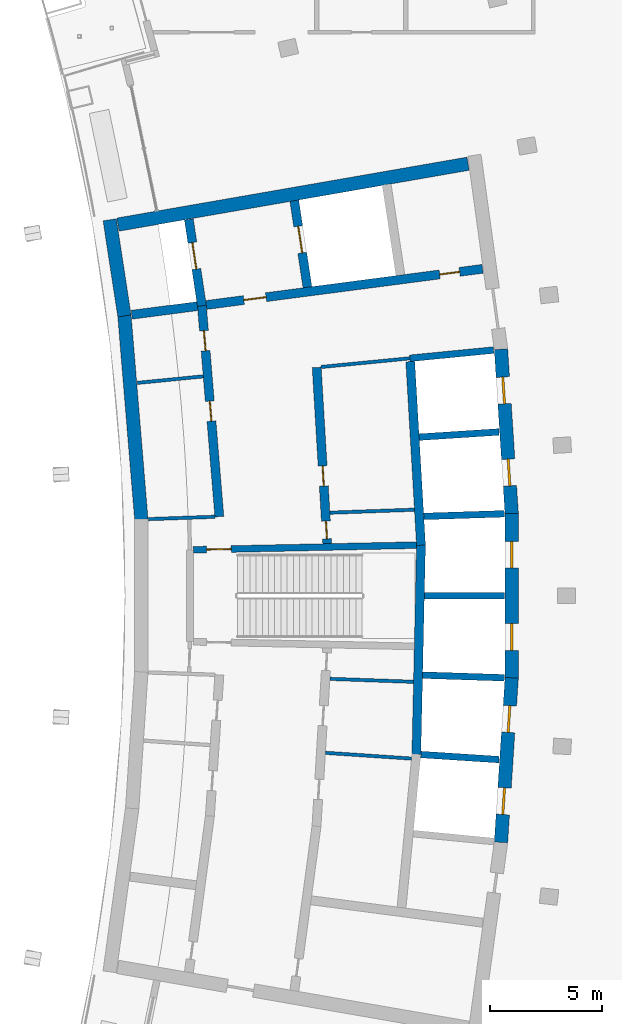
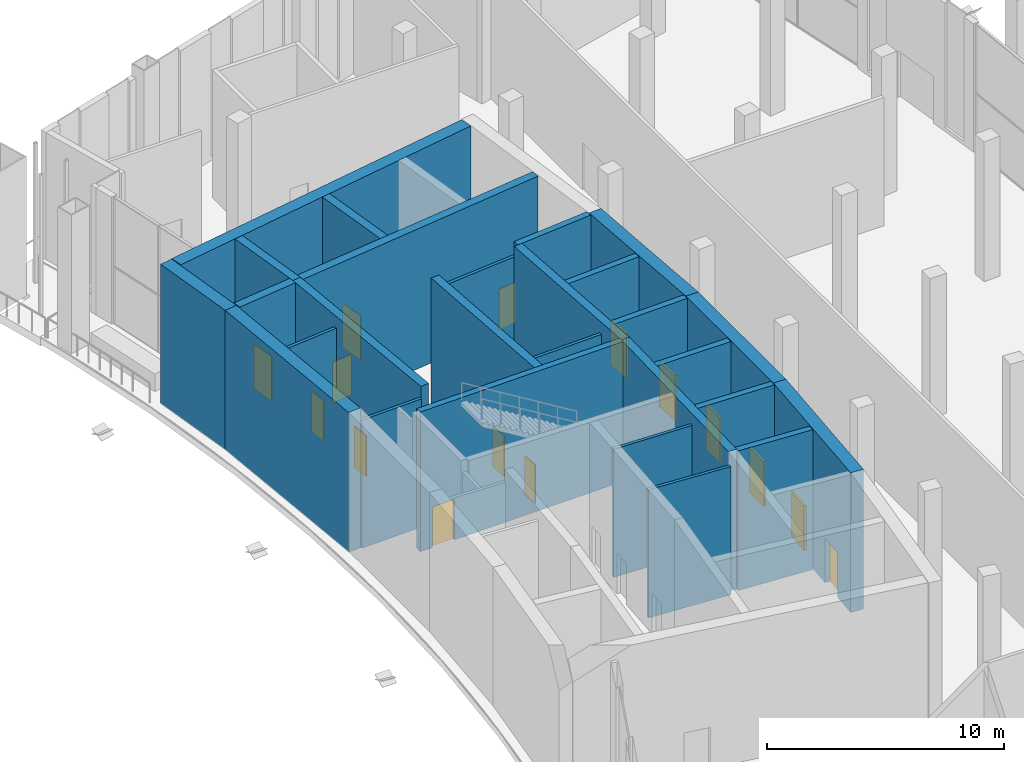
# One storey, part 15 of 24: 27 walls, 15 doors, 15 openings.
"""IFC4 building model written with IfcOpenShell, lengths in metres."""

from ifc_helpers import new_model, si_unit, direction, frame, frame_2d, origin, place, context, subcontext, project, spatial, rectangle, extrude, material, layer, layer_set, type_object, element, fill, save


model = new_model("IFC4")

# Units and contexts
model_context = context("Model", 3, precision=1e-05, world=origin(), true_north=direction((0.0, 1.0)))
body_context = subcontext(model_context, "Body", "Model", "MODEL_VIEW")
ifc_project = project(units=[si_unit("LENGTHUNIT", "METRE"), si_unit("AREAUNIT", "SQUARE_METRE"), si_unit("VOLUMEUNIT", "CUBIC_METRE"), si_unit("PLANEANGLEUNIT", "RADIAN"), si_unit("MASSUNIT", "GRAM", prefix="KILO")], contexts=[model_context])

# Site, building, storey
site_placement = place(None, origin())
site = spatial("IfcSite", under=ifc_project, at=site_placement, CompositionType="ELEMENT")
building_placement = place(site_placement, origin())
building = spatial("IfcBuilding", under=site, at=building_placement, Name="Alderwake Tower", CompositionType="ELEMENT")
storey_placement = place(building_placement, frame((0.0, 0.0, 232.39990234375)))
storey = spatial("IfcBuildingStorey", under=building, at=storey_placement, Name="L58", CompositionType="ELEMENT", Elevation=232.39990234375)

# Walls
ifc_material_1 = material(Name="Gypsum shaft wall system, rated")
ifc_layer_1 = layer(ifc_material_1, 0.14990234375)
ifc_layer_set_1 = layer_set([ifc_layer_1], Name="Core riser partition 150")
wall_type_1 = type_object("IfcWallType", Name="Core riser partition 150", PredefinedType="PARTITIONING", material=ifc_layer_set_1)
wall_1_placement = place(storey_placement, frame((25.1904296875, 57.276611328125, 0.0), z_axis=(0.0, 0.0, 1.0), x_axis=(0.99937350076, -0.035392173974, 0.0)))
element("IfcWall", 1, at=wall_1_placement, inside=storey, type_object=wall_type_1, Name="CW/L58/PR-37_+86", PredefinedType="PARTITIONING", context=body_context, shape_type="SweptSolid", body=[
    extrude(rectangle(XDim=3.752685546875, YDim=0.14990234375, at=frame_2d((1.87646484375, 0.0))), origin(), (0.0, 0.0, 1.0), 6.60009765625),
])
wall_2_placement = place(storey_placement, frame((25.191162109375, 64.723388671875, 0.0), z_axis=(0.0, 0.0, 1.0), x_axis=(0.999373627871, 0.035388584556, 0.0)))
element("IfcWall", 2, at=wall_2_placement, inside=storey, type_object=wall_type_1, Name="CW/L58/PR+37_+86", PredefinedType="PARTITIONING", context=body_context, shape_type="SweptSolid", body=[
    extrude(rectangle(XDim=3.79443359375, YDim=0.14990234375, at=frame_2d((1.897216796875, 0.0))), origin(), (0.0, 0.0, 1.0), 6.60009765625),
])
ifc_material_2 = material(Name="Gypsum shaft wall system, rated")
ifc_layer_2 = layer(ifc_material_2, 0.14990234375)
ifc_layer_set_2 = layer_set([ifc_layer_2], Name="Core room partition 150")
wall_type_2 = type_object("IfcWallType", Name="Core room partition 150", PredefinedType="PARTITIONING", material=ifc_layer_set_2)
wall_3_placement = place(storey_placement, frame((24.990234375, 53.96142578125, 0.0), z_axis=(0.0, 0.0, 1.0), x_axis=(0.997758824467, -0.06691284031, 0.0)))
element("IfcWall", 3, at=wall_3_placement, inside=storey, type_object=wall_type_2, Name="CW/L58/PR-70_+86", PredefinedType="PARTITIONING", context=body_context, shape_type="SweptSolid", body=[
    extrude(rectangle(XDim=3.86767578125, YDim=0.14990234375, at=frame_2d((1.933837890625, 0.0))), origin(), (0.0, 0.0, 1.0), 6.60009765625),
])
wall_4_placement = place(storey_placement, frame((17.0693359375, 64.43603515625, 0.0), z_axis=(0.0, 0.0, 1.0), x_axis=(0.999374945052, 0.03535136775, 0.0)))
element("IfcWall", 4, at=wall_4_placement, inside=storey, type_object=wall_type_2, Name="CW/L58/PR+37_+0", PredefinedType="PARTITIONING", context=body_context, shape_type="SweptSolid", body=[
    extrude(rectangle(XDim=2.9697265625, YDim=0.14990234375, at=frame_2d((1.48486328125, 0.0))), origin(), (0.0, 0.0, 1.0), 6.60009765625),
])
wall_5_placement = place(storey_placement, frame((24.799560546875, 71.2548828125, 0.0), z_axis=(0.0, 0.0, 1.0), x_axis=(0.995250000627, 0.097352125046, 0.0)))
element("IfcWall", 5, at=wall_5_placement, inside=storey, type_object=wall_type_2, Name="CW/L58/PR+102_+86", PredefinedType="PARTITIONING", context=body_context, shape_type="SweptSolid", body=[
    extrude(rectangle(XDim=4.0, YDim=0.14990234375, at=frame_2d((2.0, 0.0))), origin(), (0.0, 0.0, 1.0), 6.60009765625),
])
wall_6_placement = place(storey_placement, frame((16.563232421875, 70.5419921875, 0.0), z_axis=(0.0, 0.0, 1.0), x_axis=(0.995152224128, 0.098346585166, 0.0)))
element("IfcWall", 6, at=wall_6_placement, inside=storey, type_object=wall_type_2, Name="CW/L58/PR+103_+0", PredefinedType="PARTITIONING", context=body_context, shape_type="SweptSolid", body=[
    extrude(rectangle(XDim=2.966552734375, YDim=0.14990234375, at=frame_2d((1.4833984375, 0.0))), origin(), (0.0, 0.0, 1.0), 6.60009765625),
])
ifc_material_3 = material(Name="Concrete C70/85", Category="concrete")
ifc_layer_3 = layer(ifc_material_3, 0.60009765625)
ifc_layer_set_3 = layer_set([ifc_layer_3], Name="Core wall outer 600 C70-85")
wall_type_3 = type_object("IfcWallType", Name="Core wall outer 600 C70-85", PredefinedType="SHEAR", material=ifc_layer_set_3)
wall_7_placement = place(storey_placement, frame((16.740478515625, 64.411376953125, 0.0), z_axis=(0.0, 0.0, 1.0), x_axis=(-0.082614307012, 0.996581595393, 0.0)))
element("IfcWall", 7, at=wall_7_placement, inside=storey, type_object=wall_type_3, Name="Core wall CW.035", PredefinedType="SHEAR", context=body_context, shape_type="SweptSolid", body=[
    extrude(rectangle(XDim=9.184814453125, YDim=0.60009765625, at=frame_2d((4.59228515625, 0.0))), origin(), (0.0, 0.0, 1.0), 7.2001953125),
])
wall_8_placement = place(storey_placement, frame((15.984130859375, 73.54296875, 0.0), z_axis=(0.0, 0.0, 1.0), x_axis=(-0.151922578304, 0.988392396876, 0.0)))
element("IfcWall", 8, at=wall_8_placement, inside=storey, type_object=wall_type_3, Name="Core wall CW.034", PredefinedType="SHEAR", context=body_context, shape_type="SweptSolid", body=[
    extrude(rectangle(XDim=4.361328125, YDim=0.60009765625, at=frame_2d((2.1806640625, 0.0))), origin(), (0.0, 0.0, 1.0), 7.2001953125),
])

# Wall, openings, doors
wall_9_placement = place(storey_placement, frame((32.860107421875, 49.9453125, 0.0), z_axis=(0.0, 0.0, 1.0), x_axis=(0.065013379938, 0.997884392317, 0.0)))
wall_9 = element("IfcWall", 9, at=wall_9_placement, inside=storey, type_object=wall_type_3, Name="Core wall CW.016", PredefinedType="SHEAR", context=body_context, shape_type="SweptSolid", body=[
    extrude(rectangle(XDim=7.39404296875, YDim=0.60009765625, at=frame_2d((3.697021484375, 0.0))), origin(), (0.0, 0.0, 1.0), 7.2001953125),
])
opening_1_placement = place(wall_9_placement, frame((1.254150390625, 0.0, 0.0)))
opening_1 = element("IfcOpeningElement", 10, at=opening_1_placement, cuts=wall_9, Name="Opening LD-HP1", PredefinedType="OPENING", context=body_context, shape_type="SweptSolid", body=[
    extrude(rectangle(XDim=1.199951171875, YDim=2.300048828125, at=frame_2d((0.60009765625, 1.14990234375))), frame((0.0, 0.31005859375, 0.0), z_axis=(0.0, -1.0, 0.0), x_axis=(1.0, 0.0, 0.0)), (0.0, 0.0, 1.0), 0.6201171875),
])
opening_2_placement = place(wall_9_placement, frame((4.941162109375, 0.0, 0.0)))
opening_2 = element("IfcOpeningElement", 11, at=opening_2_placement, cuts=wall_9, Name="Opening LD-HP2", PredefinedType="OPENING", context=body_context, shape_type="SweptSolid", body=[
    extrude(rectangle(XDim=1.199951171875, YDim=2.300048828125, at=frame_2d((0.60009765625, 1.14990234375))), frame((0.0, 0.31005859375, 0.0), z_axis=(0.0, -1.0, 0.0), x_axis=(1.0, 0.0, 0.0)), (0.0, 0.0, 1.0), 0.6201171875),
])
ifc_material_4 = material(Name="Stainless steel sliding leaf", Category="steel")
door_type_1 = type_object("IfcDoorType", Name="Lift landing door 1200", OperationType="SLIDING_TO_LEFT", PredefinedType="DOOR", material=ifc_material_4)
door_1_placement = place(opening_1_placement, origin())
door_1 = element("IfcDoor", 12, at=door_1_placement, inside=storey, type_object=door_type_1, Name="Lift landing door HP1", OperationType="SLIDING_TO_LEFT", OverallHeight=2.300048828125, OverallWidth=1.199951171875, PredefinedType="DOOR", context=body_context, shape_type="SweptSolid", body=[
    extrude(rectangle(XDim=1.199951171875, YDim=2.300048828125, at=frame_2d((0.60009765625, 1.14990234375))), frame((0.0, 0.050048828125, 0.0), z_axis=(0.0, -1.0, 0.0), x_axis=(1.0, 0.0, 0.0)), (0.0, 0.0, 1.0), 0.10009765625),
])
fill(opening_1, door_1)
door_2_placement = place(opening_2_placement, origin())
door_2 = element("IfcDoor", 13, at=door_2_placement, inside=storey, type_object=door_type_1, Name="Lift landing door HP2", OperationType="SLIDING_TO_LEFT", OverallHeight=2.300048828125, OverallWidth=1.199951171875, PredefinedType="DOOR", context=body_context, shape_type="SweptSolid", body=[
    extrude(rectangle(XDim=1.199951171875, YDim=2.300048828125, at=frame_2d((0.60009765625, 1.14990234375))), frame((0.0, 0.050048828125, 0.0), z_axis=(0.0, -1.0, 0.0), x_axis=(1.0, 0.0, 0.0)), (0.0, 0.0, 1.0), 0.10009765625),
])
fill(opening_2, door_2)

wall_10_placement = place(storey_placement, frame((33.340087890625, 57.30322265625, 0.0), z_axis=(0.0, 0.0, 1.0), x_axis=(0.0, 1.0, 0.0)))
wall_10 = element("IfcWall", 14, at=wall_10_placement, inside=storey, type_object=wall_type_3, Name="Core wall CW.018", PredefinedType="SHEAR", context=body_context, shape_type="SweptSolid", body=[
    extrude(rectangle(XDim=7.3935546875, YDim=0.60009765625, at=frame_2d((3.69677734375, 0.0))), origin(), (0.0, 0.0, 1.0), 7.2001953125),
])
opening_3_placement = place(wall_10_placement, frame((1.25341796875, 0.0, 0.0)))
opening_3 = element("IfcOpeningElement", 15, at=opening_3_placement, cuts=wall_10, Name="Opening LD-HP3", PredefinedType="OPENING", context=body_context, shape_type="SweptSolid", body=[
    extrude(rectangle(XDim=1.199951171875, YDim=2.300048828125, at=frame_2d((0.60009765625, 1.14990234375))), frame((0.0, 0.31005859375, 0.0), z_axis=(0.0, -1.0, 0.0), x_axis=(1.0, 0.0, 0.0)), (0.0, 0.0, 1.0), 0.6201171875),
])
opening_4_placement = place(wall_10_placement, frame((4.940185546875, 0.0, 0.0)))
opening_4 = element("IfcOpeningElement", 16, at=opening_4_placement, cuts=wall_10, Name="Opening LD-HP4", PredefinedType="OPENING", context=body_context, shape_type="SweptSolid", body=[
    extrude(rectangle(XDim=1.199951171875, YDim=2.300048828125, at=frame_2d((0.60009765625, 1.14990234375))), frame((0.0, 0.31005859375, 0.0), z_axis=(0.0, -1.0, 0.0), x_axis=(1.0, 0.0, 0.0)), (0.0, 0.0, 1.0), 0.6201171875),
])
door_3_placement = place(opening_3_placement, origin())
door_3 = element("IfcDoor", 17, at=door_3_placement, inside=storey, type_object=door_type_1, Name="Lift landing door HP3", OperationType="SLIDING_TO_LEFT", OverallHeight=2.300048828125, OverallWidth=1.199951171875, PredefinedType="DOOR", context=body_context, shape_type="SweptSolid", body=[
    extrude(rectangle(XDim=1.199951171875, YDim=2.300048828125, at=frame_2d((0.60009765625, 1.14990234375))), frame((0.0, 0.050048828125, 0.0), z_axis=(0.0, -1.0, 0.0), x_axis=(1.0, 0.0, 0.0)), (0.0, 0.0, 1.0), 0.10009765625),
])
fill(opening_3, door_3)
door_4_placement = place(opening_4_placement, origin())
door_4 = element("IfcDoor", 18, at=door_4_placement, inside=storey, type_object=door_type_1, Name="Lift landing door HP4", OperationType="SLIDING_TO_LEFT", OverallHeight=2.300048828125, OverallWidth=1.199951171875, PredefinedType="DOOR", context=body_context, shape_type="SweptSolid", body=[
    extrude(rectangle(XDim=1.199951171875, YDim=2.300048828125, at=frame_2d((0.60009765625, 1.14990234375))), frame((0.0, 0.050048828125, 0.0), z_axis=(0.0, -1.0, 0.0), x_axis=(1.0, 0.0, 0.0)), (0.0, 0.0, 1.0), 0.10009765625),
])
fill(opening_4, door_4)

wall_11_placement = place(storey_placement, frame((33.3408203125, 64.67626953125, 0.0), z_axis=(0.0, 0.0, 1.0), x_axis=(-0.065013379938, 0.997884392317, 0.0)))
wall_11 = element("IfcWall", 19, at=wall_11_placement, inside=storey, type_object=wall_type_3, Name="Core wall CW.015", PredefinedType="SHEAR", context=body_context, shape_type="SweptSolid", body=[
    extrude(rectangle(XDim=7.39404296875, YDim=0.60009765625, at=frame_2d((3.697021484375, 0.0))), origin(), (0.0, 0.0, 1.0), 7.2001953125),
])
opening_5_placement = place(wall_11_placement, frame((1.253173828125, 0.0, 0.0)))
opening_5 = element("IfcOpeningElement", 20, at=opening_5_placement, cuts=wall_11, Name="Opening LD-HP5", PredefinedType="OPENING", context=body_context, shape_type="SweptSolid", body=[
    extrude(rectangle(XDim=1.199951171875, YDim=2.300048828125, at=frame_2d((0.60009765625, 1.14990234375))), frame((0.0, 0.31005859375, 0.0), z_axis=(0.0, -1.0, 0.0), x_axis=(1.0, 0.0, 0.0)), (0.0, 0.0, 1.0), 0.6201171875),
])
opening_6_placement = place(wall_11_placement, frame((4.940185546875, 0.0, 0.0)))
opening_6 = element("IfcOpeningElement", 21, at=opening_6_placement, cuts=wall_11, Name="Opening LD-HP6", PredefinedType="OPENING", context=body_context, shape_type="SweptSolid", body=[
    extrude(rectangle(XDim=1.199951171875, YDim=2.300048828125, at=frame_2d((0.60009765625, 1.14990234375))), frame((0.0, 0.31005859375, 0.0), z_axis=(0.0, -1.0, 0.0), x_axis=(1.0, 0.0, 0.0)), (0.0, 0.0, 1.0), 0.6201171875),
])
door_5_placement = place(opening_5_placement, origin())
door_5 = element("IfcDoor", 22, at=door_5_placement, inside=storey, type_object=door_type_1, Name="Lift landing door HP5", OperationType="SLIDING_TO_LEFT", OverallHeight=2.300048828125, OverallWidth=1.199951171875, PredefinedType="DOOR", context=body_context, shape_type="SweptSolid", body=[
    extrude(rectangle(XDim=1.199951171875, YDim=2.300048828125, at=frame_2d((0.60009765625, 1.14990234375))), frame((0.0, 0.050048828125, 0.0), z_axis=(0.0, -1.0, 0.0), x_axis=(1.0, 0.0, 0.0)), (0.0, 0.0, 1.0), 0.10009765625),
])
fill(opening_5, door_5)
door_6_placement = place(opening_6_placement, origin())
door_6 = element("IfcDoor", 23, at=door_6_placement, inside=storey, type_object=door_type_1, Name="Lift landing door HP6", OperationType="SLIDING_TO_LEFT", OverallHeight=2.300048828125, OverallWidth=1.199951171875, PredefinedType="DOOR", context=body_context, shape_type="SweptSolid", body=[
    extrude(rectangle(XDim=1.199951171875, YDim=2.300048828125, at=frame_2d((0.60009765625, 1.14990234375))), frame((0.0, 0.050048828125, 0.0), z_axis=(0.0, -1.0, 0.0), x_axis=(1.0, 0.0, 0.0)), (0.0, 0.0, 1.0), 0.10009765625),
])
fill(opening_6, door_6)

# Walls
wall_12_placement = place(storey_placement, frame((15.68896484375, 77.6357421875, 0.0), z_axis=(0.0, 0.0, 1.0), x_axis=(0.985223223422, 0.17127521721, 0.0)))
element("IfcWall", 24, at=wall_12_placement, inside=storey, type_object=wall_type_3, Name="Core wall CW.055", PredefinedType="SHEAR", context=body_context, shape_type="SweptSolid", body=[
    extrude(rectangle(XDim=15.933349609375, YDim=0.60009765625, at=frame_2d((7.966796875, 0.0))), origin(), (0.0, 0.0, 1.0), 7.2001953125),
])
ifc_material_5 = material(Name="Concrete C70/85", Category="concrete")
ifc_layer_4 = layer(ifc_material_5, 0.300048828125)
ifc_layer_set_4 = layer_set([ifc_layer_4], Name="Core wall shaft 300 C70-85")
wall_type_4 = type_object("IfcWallType", Name="Core wall shaft 300 C70-85", PredefinedType="SHEAR", material=ifc_layer_set_4)
wall_13_placement = place(storey_placement, frame((29.268798828125, 53.884521484375, 0.0), z_axis=(0.0, 0.0, 1.0), x_axis=(0.997887366571, -0.064967712281, 0.0)))
element("IfcWall", 25, at=wall_13_placement, inside=storey, type_object=wall_type_4, Name="Core wall CW.078", PredefinedType="SHEAR", context=body_context, shape_type="SweptSolid", body=[
    extrude(rectangle(XDim=3.509765625, YDim=0.300048828125, at=frame_2d((1.7548828125, 0.0))), origin(), (0.0, 0.0, 1.0), 7.2001953125),
])
wall_14_placement = place(storey_placement, frame((29.347412109375, 57.443603515625, 0.0), z_axis=(0.0, 0.0, 1.0), x_axis=(0.99946918462, -0.032578351638, 0.0)))
element("IfcWall", 26, at=wall_14_placement, inside=storey, type_object=wall_type_4, Name="Core wall CW.075", PredefinedType="SHEAR", context=body_context, shape_type="SweptSolid", body=[
    extrude(rectangle(XDim=3.66455078125, YDim=0.300048828125, at=frame_2d((1.832275390625, 0.0))), origin(), (0.0, 0.0, 1.0), 7.2001953125),
])
wall_15_placement = place(storey_placement, frame((29.426025390625, 61.0, 0.0), z_axis=(0.0, 0.0, 1.0), x_axis=(1.0, 0.0, 0.0)))
element("IfcWall", 27, at=wall_15_placement, inside=storey, type_object=wall_type_4, Name="Core wall CW.048", PredefinedType="SHEAR", context=body_context, shape_type="SweptSolid", body=[
    extrude(rectangle(XDim=3.583984375, YDim=0.300048828125, at=frame_2d((1.7919921875, 0.0))), origin(), (0.0, 0.0, 1.0), 7.2001953125),
])
wall_16_placement = place(storey_placement, frame((29.401611328125, 64.558349609375, 0.0), z_axis=(0.0, 0.0, 1.0), x_axis=(0.999470865009, 0.032526758191, 0.0)))
element("IfcWall", 28, at=wall_16_placement, inside=storey, type_object=wall_type_4, Name="Core wall CW.058", PredefinedType="SHEAR", context=body_context, shape_type="SweptSolid", body=[
    extrude(rectangle(XDim=3.6103515625, YDim=0.300048828125, at=frame_2d((1.80517578125, 0.0))), origin(), (0.0, 0.0, 1.0), 7.2001953125),
])
wall_17_placement = place(storey_placement, frame((29.193603515625, 68.110595703125, 0.0), z_axis=(0.0, 0.0, 1.0), x_axis=(0.997887597979, 0.064964157805, 0.0)))
element("IfcWall", 29, at=wall_17_placement, inside=storey, type_object=wall_type_4, Name="Core wall CW.061", PredefinedType="SHEAR", context=body_context, shape_type="SweptSolid", body=[
    extrude(rectangle(XDim=3.585205078125, YDim=0.300048828125, at=frame_2d((1.79248046875, 0.0))), origin(), (0.0, 0.0, 1.0), 7.2001953125),
])
wall_18_placement = place(storey_placement, frame((28.780517578125, 71.644287109375, 0.0), z_axis=(0.0, 0.0, 1.0), x_axis=(0.995245280185, 0.097400370992, 0.0)))
element("IfcWall", 30, at=wall_18_placement, inside=storey, type_object=wall_type_4, Name="Core wall CW.049", PredefinedType="SHEAR", context=body_context, shape_type="SweptSolid", body=[
    extrude(rectangle(XDim=3.769775390625, YDim=0.300048828125, at=frame_2d((1.884765625, 0.0))), origin(), (0.0, 0.0, 1.0), 7.2001953125),
])

# Wall, openings, doors
ifc_material_6 = material(Name="Concrete C70/85", Category="concrete")
ifc_layer_5 = layer(ifc_material_6, 0.39990234375)
ifc_layer_set_5 = layer_set([ifc_layer_5], Name="Core wall spine 400 C70-85")
wall_type_5 = type_object("IfcWallType", Name="Core wall spine 400 C70-85", PredefinedType="SHEAR", material=ifc_layer_set_5)
wall_19_placement = place(storey_placement, frame((19.452392578125, 74.014892578125, 0.0), z_axis=(0.0, 0.0, 1.0), x_axis=(0.082628585297, -0.996580411654, 0.0)))
wall_19 = element("IfcWall", 31, at=wall_19_placement, inside=storey, type_object=wall_type_5, Name="Core wall CW.031", PredefinedType="SHEAR", context=body_context, shape_type="SweptSolid", body=[
    extrude(rectangle(XDim=9.499267578125, YDim=0.39990234375, at=frame_2d((4.74951171875, 0.0))), origin(), (0.0, 0.0, 1.0), 7.2001953125),
])
opening_7_placement = place(wall_19_placement, frame((4.30322265625, 0.0, 0.0)))
opening_7 = element("IfcOpeningElement", 32, at=opening_7_placement, cuts=wall_19, Name="Opening C052", PredefinedType="OPENING", context=body_context, shape_type="SweptSolid", body=[
    extrude(rectangle(XDim=0.89990234375, YDim=2.10009765625, at=frame_2d((0.449951171875, 1.050048828125))), frame((0.0, 0.2099609375, 0.0), z_axis=(0.0, -1.0, 0.0), x_axis=(1.0, 0.0, 0.0)), (0.0, 0.0, 1.0), 0.419921875),
])
opening_8_placement = place(wall_19_placement, frame((1.138671875, 0.0, 0.0)))
opening_8 = element("IfcOpeningElement", 33, at=opening_8_placement, cuts=wall_19, Name="Opening C056", PredefinedType="OPENING", context=body_context, shape_type="SweptSolid", body=[
    extrude(rectangle(XDim=0.89990234375, YDim=2.10009765625, at=frame_2d((0.449951171875, 1.050048828125))), frame((0.0, 0.2099609375, 0.0), z_axis=(0.0, -1.0, 0.0), x_axis=(1.0, 0.0, 0.0)), (0.0, 0.0, 1.0), 0.419921875),
])
ifc_material_7 = material(Name="Painted steel leaf", Category="steel")
door_type_2 = type_object("IfcDoorType", Name="Core room door 900", OperationType="SINGLE_SWING_LEFT", PredefinedType="DOOR", material=ifc_material_7)
door_7_placement = place(opening_7_placement, origin())
door_7 = element("IfcDoor", 34, at=door_7_placement, inside=storey, type_object=door_type_2, Name="Room door", OperationType="SINGLE_SWING_LEFT", OverallHeight=2.10009765625, OverallWidth=0.89990234375, PredefinedType="DOOR", context=body_context, shape_type="SweptSolid", body=[
    extrude(rectangle(XDim=0.89990234375, YDim=2.10009765625, at=frame_2d((0.449951171875, 1.050048828125))), frame((0.0, 0.02490234375, 0.0), z_axis=(0.0, -1.0, 0.0), x_axis=(1.0, 0.0, 0.0)), (0.0, 0.0, 1.0), 0.050048828125),
])
fill(opening_7, door_7)
door_8_placement = place(opening_8_placement, origin())
door_8 = element("IfcDoor", 35, at=door_8_placement, inside=storey, type_object=door_type_2, Name="Room door", OperationType="SINGLE_SWING_RIGHT", OverallHeight=2.10009765625, OverallWidth=0.89990234375, PredefinedType="DOOR", context=body_context, shape_type="SweptSolid", body=[
    extrude(rectangle(XDim=0.89990234375, YDim=2.10009765625, at=frame_2d((0.449951171875, 1.050048828125))), frame((0.0, 0.02490234375, 0.0), z_axis=(0.0, -1.0, 0.0), x_axis=(1.0, 0.0, 0.0)), (0.0, 0.0, 1.0), 0.050048828125),
])
fill(opening_8, door_8)

# Wall, opening, door
wall_20_placement = place(storey_placement, frame((19.4541015625, 74.00048828125, 0.0), z_axis=(0.0, 0.0, 1.0), x_axis=(-0.148977743105, 0.98884054936, 0.0)))
wall_20 = element("IfcWall", 36, at=wall_20_placement, inside=storey, type_object=wall_type_5, Name="Core wall CW.030", PredefinedType="SHEAR", context=body_context, shape_type="SweptSolid", body=[
    extrude(rectangle(XDim=3.9150390625, YDim=0.39990234375, at=frame_2d((1.95751953125, 0.0))), origin(), (0.0, 0.0, 1.0), 7.2001953125),
])
opening_9_placement = place(wall_20_placement, frame((1.6611328125, 0.0, 0.0)))
opening_9 = element("IfcOpeningElement", 37, at=opening_9_placement, cuts=wall_20, Name="Opening LD-FF1", PredefinedType="OPENING", context=body_context, shape_type="SweptSolid", body=[
    extrude(rectangle(XDim=1.199951171875, YDim=2.300048828125, at=frame_2d((0.60009765625, 1.14990234375))), frame((0.0, 0.2099609375, 0.0), z_axis=(0.0, -1.0, 0.0), x_axis=(1.0, 0.0, 0.0)), (0.0, 0.0, 1.0), 0.419921875),
])
door_9_placement = place(opening_9_placement, origin())
door_9 = element("IfcDoor", 38, at=door_9_placement, inside=storey, type_object=door_type_1, Name="Lift landing door FF1", OperationType="SLIDING_TO_LEFT", OverallHeight=2.300048828125, OverallWidth=1.199951171875, PredefinedType="DOOR", context=body_context, shape_type="SweptSolid", body=[
    extrude(rectangle(XDim=1.199951171875, YDim=2.300048828125, at=frame_2d((0.60009765625, 1.14990234375))), frame((0.0, 0.02490234375, 0.0), z_axis=(0.0, -1.0, 0.0), x_axis=(1.0, 0.0, 0.0)), (0.0, 0.0, 1.0), 0.050048828125),
])
fill(opening_9, door_9)

# Wall, openings, doors
wall_21_placement = place(storey_placement, frame((25.073974609375, 63.335693359375, 0.0), z_axis=(0.0, 0.0, 1.0), x_axis=(-0.059848641072, 0.998207463487, 0.0)))
wall_21 = element("IfcWall", 39, at=wall_21_placement, inside=storey, type_object=wall_type_5, Name="Core wall CW.045", PredefinedType="SHEAR", context=body_context, shape_type="SweptSolid", body=[
    extrude(rectangle(XDim=7.913818359375, YDim=0.39990234375, at=frame_2d((3.95703125, 0.0))), origin(), (0.0, 0.0, 1.0), 7.2001953125),
])
opening_10_placement = place(wall_21_placement, frame((0.216064453125, 0.0, 0.0)))
opening_10 = element("IfcOpeningElement", 40, at=opening_10_placement, cuts=wall_21, Name="Opening C005", PredefinedType="OPENING", context=body_context, shape_type="SweptSolid", body=[
    extrude(rectangle(XDim=0.800048828125, YDim=2.0, at=frame_2d((0.39990234375, 1.0))), frame((0.0, 0.2099609375, 0.0), z_axis=(0.0, -1.0, 0.0), x_axis=(1.0, 0.0, 0.0)), (0.0, 0.0, 1.0), 0.419921875),
])
opening_11_placement = place(wall_21_placement, frame((2.590087890625, 0.0, 0.0)))
opening_11 = element("IfcOpeningElement", 41, at=opening_11_placement, cuts=wall_21, Name="Opening C057", PredefinedType="OPENING", context=body_context, shape_type="SweptSolid", body=[
    extrude(rectangle(XDim=0.89990234375, YDim=2.10009765625, at=frame_2d((0.449951171875, 1.050048828125))), frame((0.0, 0.2099609375, 0.0), z_axis=(0.0, -1.0, 0.0), x_axis=(1.0, 0.0, 0.0)), (0.0, 0.0, 1.0), 0.419921875),
])
door_10_placement = place(opening_11_placement, origin())
door_10 = element("IfcDoor", 42, at=door_10_placement, inside=storey, type_object=door_type_2, Name="Room door", OperationType="SINGLE_SWING_LEFT", OverallHeight=2.10009765625, OverallWidth=0.89990234375, PredefinedType="DOOR", context=body_context, shape_type="SweptSolid", body=[
    extrude(rectangle(XDim=0.89990234375, YDim=2.10009765625, at=frame_2d((0.449951171875, 1.050048828125))), frame((0.0, 0.02490234375, 0.0), z_axis=(0.0, -1.0, 0.0), x_axis=(1.0, 0.0, 0.0)), (0.0, 0.0, 1.0), 0.050048828125),
])
fill(opening_11, door_10)
ifc_material_8 = material(Name="Painted steel leaf, rated", Category="steel")
door_type_3 = type_object("IfcDoorType", Name="Riser access door 800", OperationType="SINGLE_SWING_LEFT", PredefinedType="DOOR", material=ifc_material_8)
door_11_placement = place(opening_10_placement, origin())
door_11 = element("IfcDoor", 43, at=door_11_placement, inside=storey, type_object=door_type_3, Name="Riser access door", OperationType="SINGLE_SWING_LEFT", OverallHeight=2.0, OverallWidth=0.800048828125, PredefinedType="DOOR", context=body_context, shape_type="SweptSolid", body=[
    extrude(rectangle(XDim=0.800048828125, YDim=2.0, at=frame_2d((0.39990234375, 1.0))), frame((0.0, 0.02490234375, 0.0), z_axis=(0.0, -1.0, 0.0), x_axis=(1.0, 0.0, 0.0)), (0.0, 0.0, 1.0), 0.050048828125),
])
fill(opening_10, door_11)

# Wall, opening, door
wall_22_placement = place(storey_placement, frame((24.186279296875, 74.82861328125, 0.0), z_axis=(0.0, 0.0, 1.0), x_axis=(-0.150092938275, 0.988671891924, 0.0)))
wall_22 = element("IfcWall", 44, at=wall_22_placement, inside=storey, type_object=wall_type_5, Name="Core wall CW.044", PredefinedType="SHEAR", context=body_context, shape_type="SweptSolid", body=[
    extrude(rectangle(XDim=3.92333984375, YDim=0.39990234375, at=frame_2d((1.961669921875, 0.0))), origin(), (0.0, 0.0, 1.0), 7.2001953125),
])
opening_12_placement = place(wall_22_placement, frame((1.561767578125, 0.0, 0.0)))
opening_12 = element("IfcOpeningElement", 45, at=opening_12_placement, cuts=wall_22, Name="Opening LD-FF2", PredefinedType="OPENING", context=body_context, shape_type="SweptSolid", body=[
    extrude(rectangle(XDim=1.199951171875, YDim=2.300048828125, at=frame_2d((0.60009765625, 1.14990234375))), frame((0.0, 0.2099609375, 0.0), z_axis=(0.0, -1.0, 0.0), x_axis=(1.0, 0.0, 0.0)), (0.0, 0.0, 1.0), 0.419921875),
])
door_12_placement = place(opening_12_placement, origin())
door_12 = element("IfcDoor", 46, at=door_12_placement, inside=storey, type_object=door_type_1, Name="Lift landing door FF2", OperationType="SLIDING_TO_LEFT", OverallHeight=2.300048828125, OverallWidth=1.199951171875, PredefinedType="DOOR", context=body_context, shape_type="SweptSolid", body=[
    extrude(rectangle(XDim=1.199951171875, YDim=2.300048828125, at=frame_2d((0.60009765625, 1.14990234375))), frame((0.0, 0.02490234375, 0.0), z_axis=(0.0, -1.0, 0.0), x_axis=(1.0, 0.0, 0.0)), (0.0, 0.0, 1.0), 0.050048828125),
])
fill(opening_12, door_12)

# Walls
wall_23_placement = place(storey_placement, frame((29.06884765625, 53.8896484375, 0.0), z_axis=(0.0, 0.0, 1.0), x_axis=(0.022115722908, 0.99975541749, 0.0)))
element("IfcWall", 47, at=wall_23_placement, inside=storey, type_object=wall_type_5, Name="Core wall CW.008", PredefinedType="SHEAR", context=body_context, shape_type="SweptSolid", body=[
    extrude(rectangle(XDim=9.394287109375, YDim=0.39990234375, at=frame_2d((4.697265625, 0.0))), origin(), (0.0, 0.0, 1.0), 7.2001953125),
])
wall_24_placement = place(storey_placement, frame((29.27685546875, 63.2646484375, 0.0), z_axis=(0.0, 0.0, 1.0), x_axis=(-0.0584546922, 0.998290062537, 0.0)))
element("IfcWall", 48, at=wall_24_placement, inside=storey, type_object=wall_type_5, Name="Core wall CW.002", PredefinedType="SHEAR", context=body_context, shape_type="SweptSolid", body=[
    extrude(rectangle(XDim=8.24462890625, YDim=0.39990234375, at=frame_2d((4.122314453125, 0.0))), origin(), (0.0, 0.0, 1.0), 7.2001953125),
])
wall_25_placement = place(storey_placement, frame((16.31005859375, 73.5966796875, 0.0), z_axis=(0.0, 0.0, 1.0), x_axis=(0.99155863891, 0.12965903595, 0.0)))
element("IfcWall", 49, at=wall_25_placement, inside=storey, type_object=wall_type_5, Name="Core wall CW.051", PredefinedType="SHEAR", context=body_context, shape_type="SweptSolid", body=[
    extrude(rectangle(XDim=2.969482421875, YDim=0.39990234375, at=frame_2d((1.48486328125, 0.0))), origin(), (0.0, 0.0, 1.0), 7.2001953125),
])

# Wall, openings, doors
wall_26_placement = place(storey_placement, frame((32.032958984375, 75.653076171875, 0.0), z_axis=(0.0, 0.0, 1.0), x_axis=(-0.991554886316, -0.129687730428, 0.0)))
wall_26 = element("IfcWall", 50, at=wall_26_placement, inside=storey, type_object=wall_type_5, Name="Core wall CW.052", PredefinedType="SHEAR", context=body_context, shape_type="SweptSolid", body=[
    extrude(rectangle(XDim=12.48681640625, YDim=0.39990234375, at=frame_2d((6.243408203125, 0.0))), origin(), (0.0, 0.0, 1.0), 7.2001953125),
])
opening_13_placement = place(wall_26_placement, frame((9.787109375, 0.0, 0.0)))
opening_13 = element("IfcOpeningElement", 51, at=opening_13_placement, cuts=wall_26, Name="Opening C002", PredefinedType="OPENING", context=body_context, shape_type="SweptSolid", body=[
    extrude(rectangle(XDim=1.0, YDim=2.10009765625, at=frame_2d((0.5, 1.050048828125))), frame((0.0, 0.2099609375, 0.0), z_axis=(0.0, -1.0, 0.0), x_axis=(1.0, 0.0, 0.0)), (0.0, 0.0, 1.0), 0.419921875),
])
opening_14_placement = place(wall_26_placement, frame((1.037109375, 0.0, 0.0)))
opening_14 = element("IfcOpeningElement", 52, at=opening_14_placement, cuts=wall_26, Name="Opening C020", PredefinedType="OPENING", context=body_context, shape_type="SweptSolid", body=[
    extrude(rectangle(XDim=0.89990234375, YDim=2.10009765625, at=frame_2d((0.449951171875, 1.050048828125))), frame((0.0, 0.2099609375, 0.0), z_axis=(0.0, -1.0, 0.0), x_axis=(1.0, 0.0, 0.0)), (0.0, 0.0, 1.0), 0.419921875),
])
door_13_placement = place(opening_14_placement, origin())
door_13 = element("IfcDoor", 53, at=door_13_placement, inside=storey, type_object=door_type_2, Name="Room door", OperationType="SINGLE_SWING_LEFT", OverallHeight=2.10009765625, OverallWidth=0.89990234375, PredefinedType="DOOR", context=body_context, shape_type="SweptSolid", body=[
    extrude(rectangle(XDim=0.89990234375, YDim=2.10009765625, at=frame_2d((0.449951171875, 1.050048828125))), frame((0.0, 0.02490234375, 0.0), z_axis=(0.0, -1.0, 0.0), x_axis=(1.0, 0.0, 0.0)), (0.0, 0.0, 1.0), 0.050048828125),
])
fill(opening_14, door_13)
ifc_material_9 = material(Name="Steel-framed fire door leaf", Category="steel")
door_type_4 = type_object("IfcDoorType", Name="Firefighting lobby door 1000 fire-rated", OperationType="SINGLE_SWING_LEFT", PredefinedType="DOOR", material=ifc_material_9)
door_14_placement = place(opening_13_placement, origin())
door_14 = element("IfcDoor", 54, at=door_14_placement, inside=storey, type_object=door_type_4, Name="Firefighting lobby door", OperationType="SINGLE_SWING_RIGHT", OverallHeight=2.10009765625, OverallWidth=1.0, PredefinedType="DOOR", context=body_context, shape_type="SweptSolid", body=[
    extrude(rectangle(XDim=1.0, YDim=2.10009765625, at=frame_2d((0.5, 1.050048828125))), frame((0.0, 0.02490234375, 0.0), z_axis=(0.0, -1.0, 0.0), x_axis=(1.0, 0.0, 0.0)), (0.0, 0.0, 1.0), 0.050048828125),
])
fill(opening_13, door_14)

# Wall, opening, door
ifc_material_10 = material(Name="Concrete C70/85", Category="concrete")
ifc_layer_6 = layer(ifc_material_10, 0.300048828125)
ifc_layer_set_6 = layer_set([ifc_layer_6], Name="Core wall stair enclosure 300 C70-85")
wall_type_6 = type_object("IfcWallType", Name="Core wall stair enclosure 300 C70-85", PredefinedType="SHEAR", material=ifc_layer_set_6)
wall_27_placement = place(storey_placement, frame((19.068603515625, 63.060791015625, 0.0), z_axis=(0.0, 0.0, 1.0), x_axis=(0.999783553773, 0.02080494185, 0.0)))
wall_27 = element("IfcWall", 55, at=wall_27_placement, inside=storey, type_object=wall_type_6, Name="Core wall CW.057", PredefinedType="SHEAR", context=body_context, shape_type="SweptSolid", body=[
    extrude(rectangle(XDim=10.009765625, YDim=0.300048828125, at=frame_2d((5.0048828125, 0.0))), origin(), (0.0, 0.0, 1.0), 7.2001953125),
])
opening_15_placement = place(wall_27_placement, frame((0.60009765625, 0.0, 0.0)))
opening_15 = element("IfcOpeningElement", 56, at=opening_15_placement, cuts=wall_27, Name="Opening C064", PredefinedType="OPENING", context=body_context, shape_type="SweptSolid", body=[
    extrude(rectangle(XDim=1.10009765625, YDim=2.10009765625, at=frame_2d((0.550048828125, 1.050048828125))), frame((0.0, 0.159912109375, 0.0), z_axis=(0.0, -1.0, 0.0), x_axis=(1.0, 0.0, 0.0)), (0.0, 0.0, 1.0), 0.320068359375),
])
ifc_material_11 = material(Name="Steel-framed fire door leaf", Category="steel")
door_type_5 = type_object("IfcDoorType", Name="Core stair door 1100 fire-rated", OperationType="SINGLE_SWING_LEFT", PredefinedType="DOOR", material=ifc_material_11)
door_15_placement = place(opening_15_placement, origin())
door_15 = element("IfcDoor", 57, at=door_15_placement, inside=storey, type_object=door_type_5, Name="Stair door", OperationType="SINGLE_SWING_RIGHT", OverallHeight=2.10009765625, OverallWidth=1.10009765625, PredefinedType="DOOR", context=body_context, shape_type="SweptSolid", body=[
    extrude(rectangle(XDim=1.10009765625, YDim=2.10009765625, at=frame_2d((0.550048828125, 1.050048828125))), frame((0.0, 0.02490234375, 0.0), z_axis=(0.0, -1.0, 0.0), x_axis=(1.0, 0.0, 0.0)), (0.0, 0.0, 1.0), 0.050048828125),
])
fill(opening_15, door_15)

save(model, "model.ifc")
